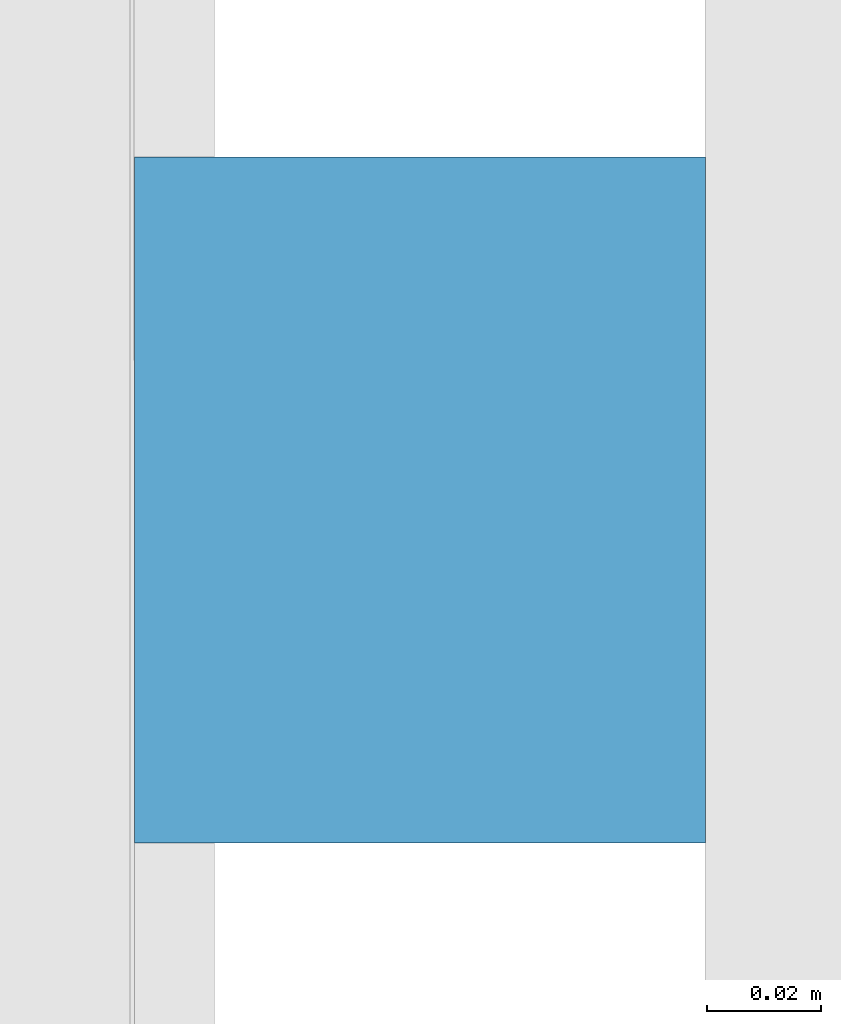
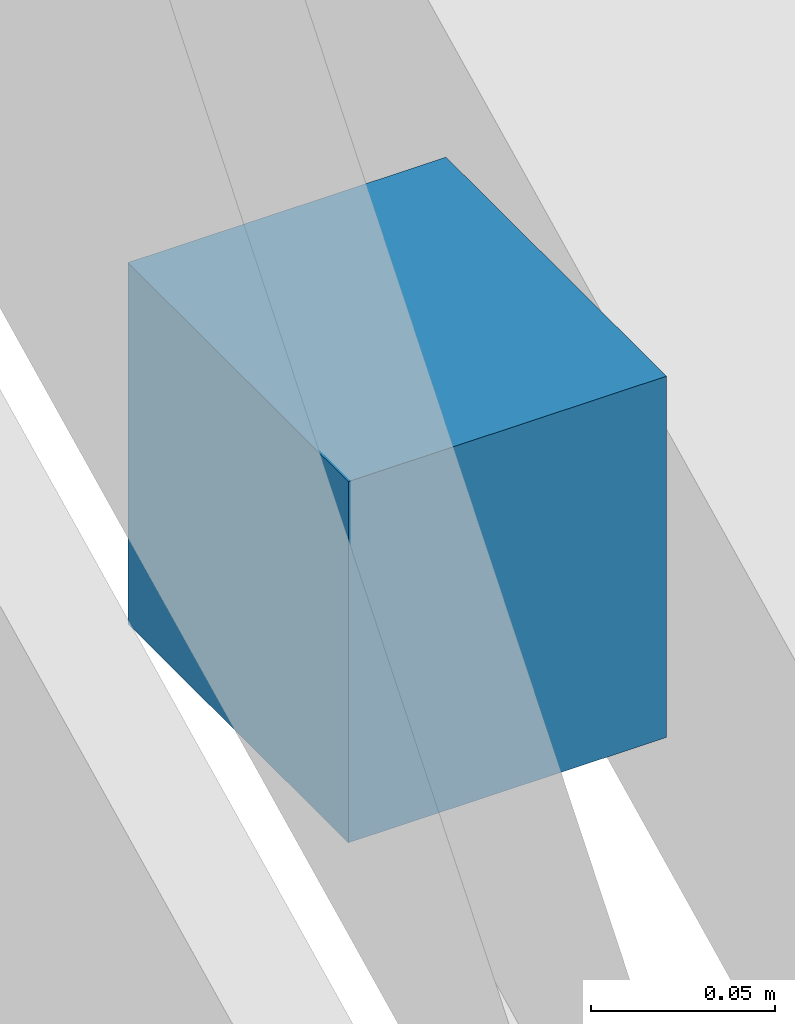
# One storey, part 21 of 22: 1 discrete accessory.
"""IFC4 building model written with IfcOpenShell, lengths in metres."""

from ifc_helpers import new_model, si_unit, direction, frame, origin, origin_2d, place, context, subcontext, project, spatial, rectangle, extrude, material, type_object, element, save


model = new_model("IFC4")

# Units and contexts
model_context = context("Model", 3, precision=1e-05, world=origin(), true_north=direction((0.0, 1.0)))
body_context = subcontext(model_context, "Body", "Model", "MODEL_VIEW")
ifc_project = project(units=[si_unit("LENGTHUNIT", "METRE"), si_unit("AREAUNIT", "SQUARE_METRE"), si_unit("VOLUMEUNIT", "CUBIC_METRE"), si_unit("PLANEANGLEUNIT", "RADIAN"), si_unit("MASSUNIT", "GRAM", prefix="KILO")], contexts=[model_context])

# Site, building, storey
site_placement = place(None, origin())
site = spatial("IfcSite", under=ifc_project, at=site_placement, CompositionType="ELEMENT")
building_placement = place(site_placement, origin())
building = spatial("IfcBuilding", under=site, at=building_placement, Name="Crosswind Convention Tower", CompositionType="ELEMENT")
storey_placement = place(building_placement, frame((0.0, 0.0, 133.699951171875)))
storey = spatial("IfcBuildingStorey", under=building, at=storey_placement, Name="L27", CompositionType="ELEMENT", Elevation=133.699951171875)

# Discrete accessory
ifc_material = material(Name="Stainless steel", Category="steel")
discrete_accessory_type = type_object("IfcDiscreteAccessoryType", Name="BAGUETTE BRACKET BK3", PredefinedType="BRACKET", material=ifc_material)
discrete_accessory_placement = place(storey_placement, frame((161.72607421875, 91.767578125, 1.705078125), z_axis=(0.0, 0.0, 1.0), x_axis=(0.0, 1.0, 0.0)))
element("IfcDiscreteAccessory", 1, at=discrete_accessory_placement, inside=storey, type_object=discrete_accessory_type, Name="BK3 baguette bracket", PredefinedType="BRACKET", context=body_context, shape_type="SweptSolid", body=[
    extrude(rectangle(XDim=0.1201171875, YDim=0.10009765625, at=origin_2d()), origin(), (0.0, 0.0, 1.0), 0.1201171875),
])

save(model, "model.ifc")
